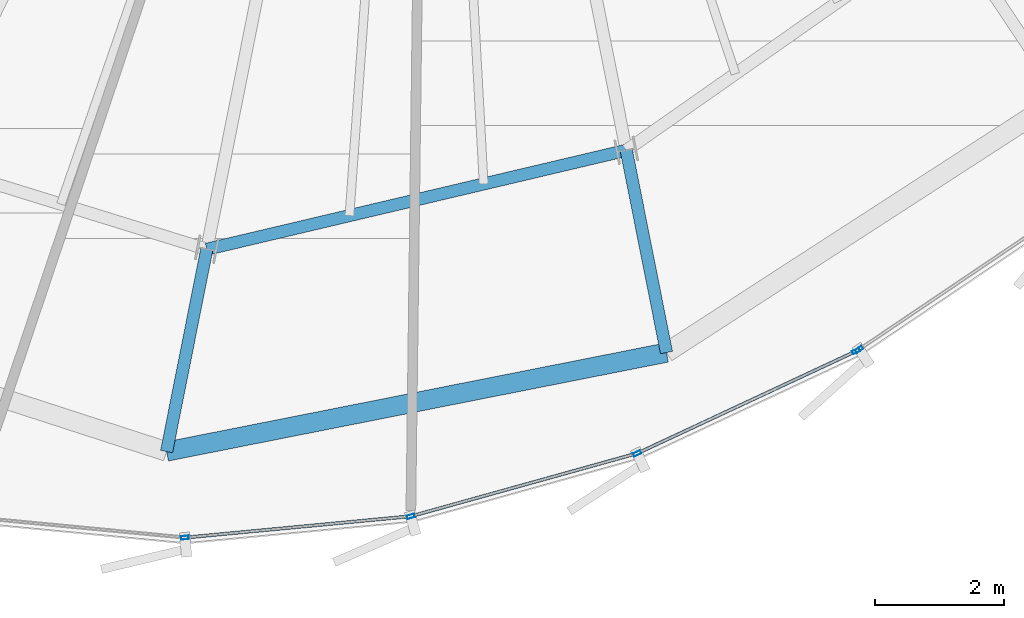
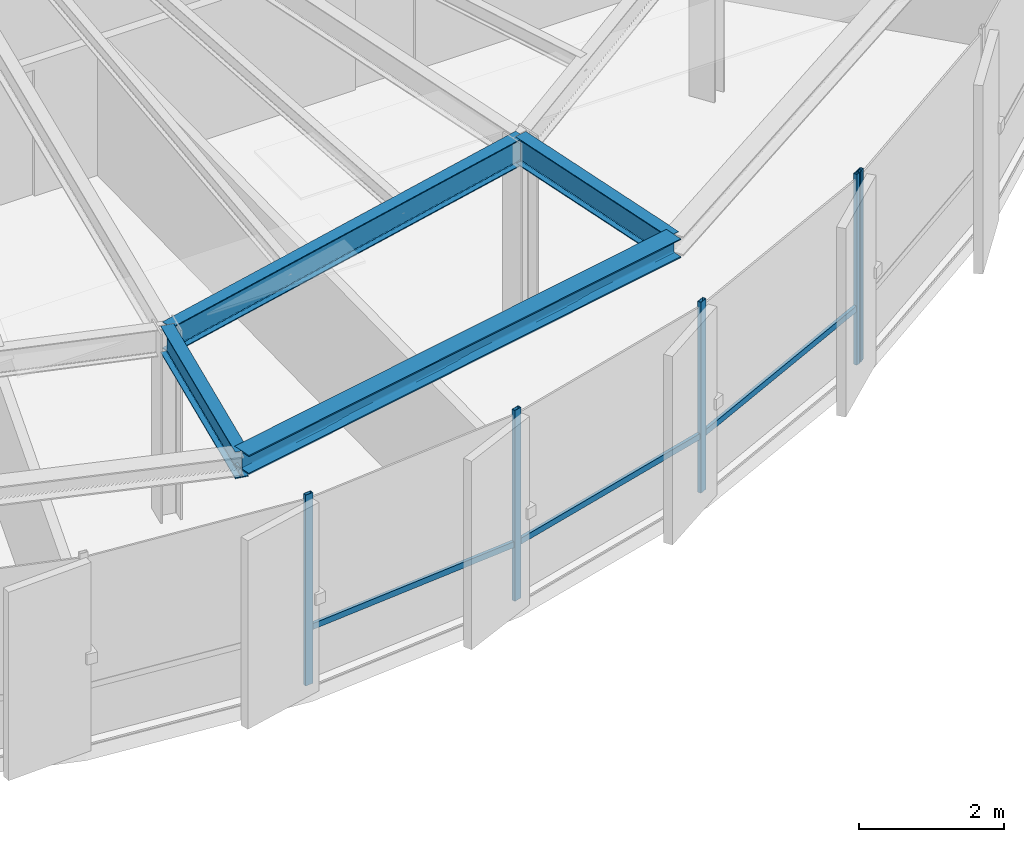
# One storey, part 6 of 33: 8 members, 4 beams, 2 elements without a shape of their own.
"""IFC4 building model written with IfcOpenShell, lengths in metres."""

from ifc_helpers import new_model, si_unit, direction, frame, origin, origin_2d, place, context, subcontext, project, spatial, hollow_rectangle, i_section, extrude, source, transform, mapped, material, layer, layer_set, material_profile, profile_set, type_object, element, aggregate, save


model = new_model("IFC4")

# Units and contexts
model_context = context("Model", 3, precision=1e-05, world=origin(), true_north=direction((0.0, 1.0)))
body_context = subcontext(model_context, "Body", "Model", "MODEL_VIEW")
ifc_project = project(units=[si_unit("LENGTHUNIT", "METRE"), si_unit("AREAUNIT", "SQUARE_METRE"), si_unit("VOLUMEUNIT", "CUBIC_METRE"), si_unit("PLANEANGLEUNIT", "RADIAN"), si_unit("MASSUNIT", "GRAM", prefix="KILO"), si_unit("THERMODYNAMICTEMPERATUREUNIT", "KELVIN")], contexts=[model_context])

# Site, building, storey
site_placement = place(None, origin())
site = spatial("IfcSite", under=ifc_project, at=site_placement, CompositionType="ELEMENT")
building_placement = place(site_placement, origin())
building = spatial("IfcBuilding", under=site, at=building_placement, Name="Kethvar Cultural Tower", CompositionType="ELEMENT")
storey_placement = place(building_placement, frame((0.0, 0.0, 256.0)))
storey = spatial("IfcBuildingStorey", under=building, at=storey_placement, Name="L67", CompositionType="ELEMENT", Elevation=256.0)

# Beams
ifc_material_1 = material(Name="Steel S355J2", Category="steel")
ifc_material_profile_1 = material_profile(ifc_material_1, i_section(OverallWidth=0.18994140625, OverallDepth=0.449951171875, WebThickness=0.009521484375, FlangeThickness=0.0146484375, FilletRadius=0.02099609375, at=origin_2d()), Name="Steel S355J2 — IPE450")
ifc_profile_set_1 = profile_set([ifc_material_profile_1], Name="Steel S355J2 — IPE450")
beam_type_1 = type_object("IfcBeamType", Name="BM-IPE450", PredefinedType="BEAM", material=ifc_profile_set_1)
shared_shape_1 = source(origin(), body_context, "Body", "SweptSolid", [
    extrude(i_section(OverallWidth=0.18994140625, OverallDepth=0.449951171875, WebThickness=0.009521484375, FlangeThickness=0.0146484375, FilletRadius=0.02099609375, at=origin_2d()), origin(), (0.0, 0.0, 1.0), 3.199951171875),
])
beam_1_placement = place(storey_placement, frame((49.901611328125, 12.206787109375, 2.98291015625), z_axis=(0.195088965533, -0.980785550224, 0.0), x_axis=(0.980785550224, 0.195088965533, 0.0)))
element("IfcBeam", 1, at=beam_1_placement, inside=storey, type_object=beam_type_1, Name="L67 Perimeter Cantilever Beam RC-13", PredefinedType="BEAM", context=body_context, shape_type="MappedRepresentation", body=[
    mapped(shared_shape_1, transform((0.0, 0.0, 0.0), scale=1.0)),
])
shared_shape_2 = source(origin(), body_context, "Body", "SweptSolid", [
    extrude(i_section(OverallWidth=0.18994140625, OverallDepth=0.449951171875, WebThickness=0.009521484375, FlangeThickness=0.0146484375, FilletRadius=0.02099609375, at=origin_2d()), origin(), (0.0, 0.0, 1.0), 3.2001953125),
])
beam_2_placement = place(storey_placement, frame((43.392822265625, 10.67138671875, 2.98291015625), z_axis=(-0.195074368086, -0.980788453702, 0.0), x_axis=(0.980788453702, -0.195074368086, 0.0)))
element("IfcBeam", 2, at=beam_2_placement, inside=storey, type_object=beam_type_1, Name="L67 Perimeter Cantilever Beam RC-12", PredefinedType="BEAM", context=body_context, shape_type="MappedRepresentation", body=[
    mapped(shared_shape_2, transform((0.0, 0.0, 0.0), scale=1.0)),
])
shared_shape_3 = source(origin(), body_context, "Body", "SweptSolid", [
    extrude(i_section(OverallWidth=0.18994140625, OverallDepth=0.449951171875, WebThickness=0.009521484375, FlangeThickness=0.0146484375, FilletRadius=0.02099609375, at=origin_2d()), origin(), (0.0, 0.0, 1.0), 6.6875),
])
beam_3_placement = place(storey_placement, frame((43.392822265625, 10.67138671875, 2.98291015625), z_axis=(0.973286301494, 0.22959480683, 0.0), x_axis=(-0.22959480683, 0.973286301494, 0.0)))
element("IfcBeam", 3, at=beam_3_placement, inside=storey, type_object=beam_type_1, Name="L67 Column Ring Tie Beam CR-12", PredefinedType="BEAM", context=body_context, shape_type="MappedRepresentation", body=[
    mapped(shared_shape_3, transform((0.0, 0.0, 0.0), scale=1.0)),
])
ifc_material_profile_2 = material_profile(ifc_material_1, i_section(OverallWidth=0.300048828125, OverallDepth=0.320068359375, WebThickness=0.011474609375, FlangeThickness=0.0205078125, FilletRadius=0.027099609375, at=origin_2d()), Name="Steel S355J2 — HEB320")
ifc_profile_set_2 = profile_set([ifc_material_profile_2], Name="Steel S355J2 — HEB320")
beam_type_2 = type_object("IfcBeamType", Name="BM-SP320", PredefinedType="SPANDREL", material=ifc_profile_set_2)
shared_shape_4 = source(origin(), body_context, "Body", "SweptSolid", [
    extrude(i_section(OverallWidth=0.300048828125, OverallDepth=0.320068359375, WebThickness=0.011474609375, FlangeThickness=0.0205078125, FilletRadius=0.027099609375, at=origin_2d()), origin(), (0.0, 0.0, 1.0), 7.907958984375),
])
beam_4_placement = place(storey_placement, frame((42.7685546875, 7.53271484375, 3.048095703125), z_axis=(0.980963515828, 0.194192122948, 0.0), x_axis=(-0.194192122948, 0.980963515828, 0.0)))
element("IfcBeam", 4, at=beam_4_placement, inside=storey, type_object=beam_type_2, Name="L67 Perimeter Spandrel Beam SP-12", PredefinedType="SPANDREL", context=body_context, shape_type="MappedRepresentation", body=[
    mapped(shared_shape_4, transform((0.0, 0.0, 0.0), scale=1.0)),
])

# Curtain wall, members
ifc_material_2 = material(Name="Aluminium 6063-T6", Category="aluminium")
ifc_layer = layer(ifc_material_2, 0.179931640625, Name="Aluminium 6063-T6", Category="aluminium")
ifc_layer_set = layer_set([ifc_layer], Name="Aluminium 6063-T6 (180 mm)")
curtain_wall_type = type_object("IfcCurtainWallType", Name="CW-SYS-05-Z56", PredefinedType="NOTDEFINED", material=ifc_layer_set)
curtain_wall_1_placement = place(storey_placement, origin())
curtain_wall_1 = element("IfcCurtainWall", 5, at=curtain_wall_1_placement, inside=storey, type_object=curtain_wall_type, Name="L67 Curtain Wall Run 04", PredefinedType="NOTDEFINED")
ifc_material_profile_3 = material_profile(ifc_material_2, hollow_rectangle(XDim=0.054931640625, YDim=0.1201171875, WallThickness=0.00390625, at=origin_2d()), Name="Aluminium 6063-T6 — RHS120x55x4")
ifc_profile_set_3 = profile_set([ifc_material_profile_3], Name="Aluminium 6063-T6 — RHS120x55x4")
member_type_1 = type_object("IfcMemberType", Name="CW-SYS-05-Z56-MUL", PredefinedType="MULLION", material=ifc_profile_set_3)
shared_shape_5 = source(origin(), body_context, "Body", "SweptSolid", [
    extrude(hollow_rectangle(XDim=0.054931640625, YDim=0.1201171875, WallThickness=0.00390625, at=origin_2d()), origin(), (0.0, 0.0, 1.0), 3.2099609375),
])
member_1_placement = place(storey_placement, frame((43.052978515625, 6.197021484375, 0.0), z_axis=(0.0, 0.0, 1.0), x_axis=(-0.09414306493, 0.995558678997, 0.0)))
member_1 = element("IfcMember", 6, at=member_1_placement, type_object=member_type_1, Name="CW-L67-R04 Mullion 4", PredefinedType="MULLION", context=body_context, shape_type="MappedRepresentation", body=[
    mapped(shared_shape_5, transform((0.0, 0.0, 0.0), scale=1.0)),
])
member_2_placement = place(storey_placement, frame((46.55810546875, 6.52685546875, 0.0), z_axis=(0.0, 0.0, 1.0), x_axis=(-0.268180085639, 0.963368798367, 0.0)))
member_2 = element("IfcMember", 7, at=member_2_placement, type_object=member_type_1, Name="CW-L67-R04 Mullion 5", PredefinedType="MULLION", context=body_context, shape_type="MappedRepresentation", body=[
    mapped(shared_shape_5, transform((0.0, 0.0, 0.0), scale=1.0)),
])
member_3_placement = place(storey_placement, frame((50.071533203125, 7.503662109375, 0.0), z_axis=(0.0, 0.0, 1.0), x_axis=(-0.423329943793, 0.905975583936, 0.0)))
member_3 = element("IfcMember", 8, at=member_3_placement, type_object=member_type_1, Name="CW-L67-R04 Mullion 6", PredefinedType="MULLION", context=body_context, shape_type="MappedRepresentation", body=[
    mapped(shared_shape_5, transform((0.0, 0.0, 0.0), scale=1.0)),
])
member_4_placement = place(storey_placement, frame((53.467529296875, 9.09033203125, 0.0), z_axis=(0.0, 0.0, 1.0), x_axis=(-0.423329943793, 0.905975583936, 0.0)))
member_4 = element("IfcMember", 9, at=member_4_placement, type_object=member_type_1, Name="CW-L67-R04 Mullion 7", PredefinedType="MULLION", context=body_context, shape_type="MappedRepresentation", body=[
    mapped(shared_shape_5, transform((0.0, 0.0, 0.0), scale=1.0)),
])

# Curtain wall, member
curtain_wall_2_placement = place(storey_placement, origin())
curtain_wall_2 = element("IfcCurtainWall", 10, at=curtain_wall_2_placement, inside=storey, type_object=curtain_wall_type, Name="L67 Curtain Wall Run 05", PredefinedType="NOTDEFINED")
member_5_placement = place(storey_placement, frame((53.51611328125, 9.117919921875, 0.0), z_axis=(0.0, 0.0, 1.0), x_axis=(-0.558889007777, 0.829242471769, 0.0)))
member_5 = element("IfcMember", 11, at=member_5_placement, type_object=member_type_1, Name="CW-L67-R05 Mullion 1", PredefinedType="MULLION", context=body_context, shape_type="MappedRepresentation", body=[
    mapped(shared_shape_5, transform((0.0, 0.0, 0.0), scale=1.0)),
])
aggregate(curtain_wall_2, [member_5])

# Member
ifc_material_profile_4 = material_profile(ifc_material_2, hollow_rectangle(XDim=0.050048828125, YDim=0.10009765625, WallThickness=0.00390625, at=origin_2d()), Name="Aluminium 6063-T6 — RHS100x50x4")
ifc_profile_set_4 = profile_set([ifc_material_profile_4], Name="Aluminium 6063-T6 — RHS100x50x4")
member_type_2 = type_object("IfcMemberType", Name="CW-SYS-05-Z56-TRN", PredefinedType="USERDEFINED", material=ifc_profile_set_4)
shared_shape_6 = source(origin(), body_context, "Body", "SweptSolid", [
    extrude(hollow_rectangle(XDim=0.050048828125, YDim=0.10009765625, WallThickness=0.00390625, at=origin_2d()), origin(), (0.0, 0.0, 1.0), 3.583984375),
])
member_6_placement = place(storey_placement, frame((46.59619140625, 6.53759765625, 0.949951171875), z_axis=(0.963365506499, 0.268191910556, 0.0), x_axis=(-0.268191910556, 0.963365506499, 0.0)))
member_6 = element("IfcMember", 12, at=member_6_placement, type_object=member_type_2, Name="CW-L67-R04 Transom 5", ObjectType="TRANSOM", PredefinedType="USERDEFINED", context=body_context, shape_type="MappedRepresentation", body=[
    mapped(shared_shape_6, transform((0.0, 0.0, 0.0), scale=1.0)),
])

shared_shape_7 = source(origin(), body_context, "Body", "SweptSolid", [
    extrude(hollow_rectangle(XDim=0.050048828125, YDim=0.10009765625, WallThickness=0.00390625, at=origin_2d()), origin(), (0.0, 0.0, 1.0), 3.458984375),
])
member_7_placement = place(storey_placement, frame((43.09228515625, 6.20068359375, 0.949951171875), z_axis=(0.995557434028, 0.094156229493, 0.0), x_axis=(-0.094156229493, 0.995557434028, 0.0)))
member_7 = element("IfcMember", 13, at=member_7_placement, type_object=member_type_2, Name="CW-L67-R04 Transom 4", ObjectType="TRANSOM", PredefinedType="USERDEFINED", context=body_context, shape_type="MappedRepresentation", body=[
    mapped(shared_shape_7, transform((0.0, 0.0, 0.0), scale=1.0)),
])

shared_shape_8 = source(origin(), body_context, "Body", "SweptSolid", [
    extrude(hollow_rectangle(XDim=0.050048828125, YDim=0.10009765625, WallThickness=0.00390625, at=origin_2d()), origin(), (0.0, 0.0, 1.0), 3.704833984375),
])
member_8_placement = place(storey_placement, frame((50.107421875, 7.5205078125, 0.949951171875), z_axis=(0.906011349521, 0.423253392827, 0.0), x_axis=(-0.423253392827, 0.906011349521, 0.0)))
member_8 = element("IfcMember", 14, at=member_8_placement, type_object=member_type_2, Name="CW-L67-R04 Transom 6", ObjectType="TRANSOM", PredefinedType="USERDEFINED", context=body_context, shape_type="MappedRepresentation", body=[
    mapped(shared_shape_8, transform((0.0, 0.0, 0.0), scale=1.0)),
])

aggregate(curtain_wall_1, [member_1, member_2, member_3, member_4, member_7, member_6, member_8])

save(model, "model.ifc")
